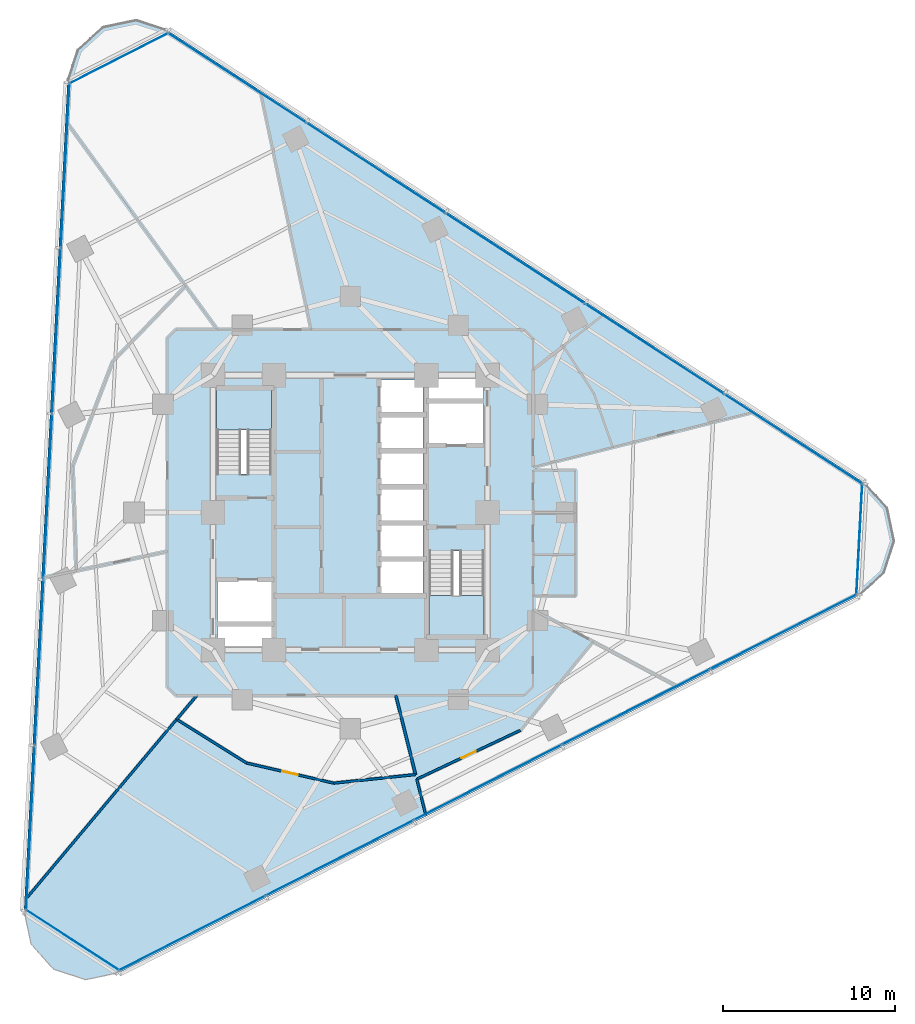
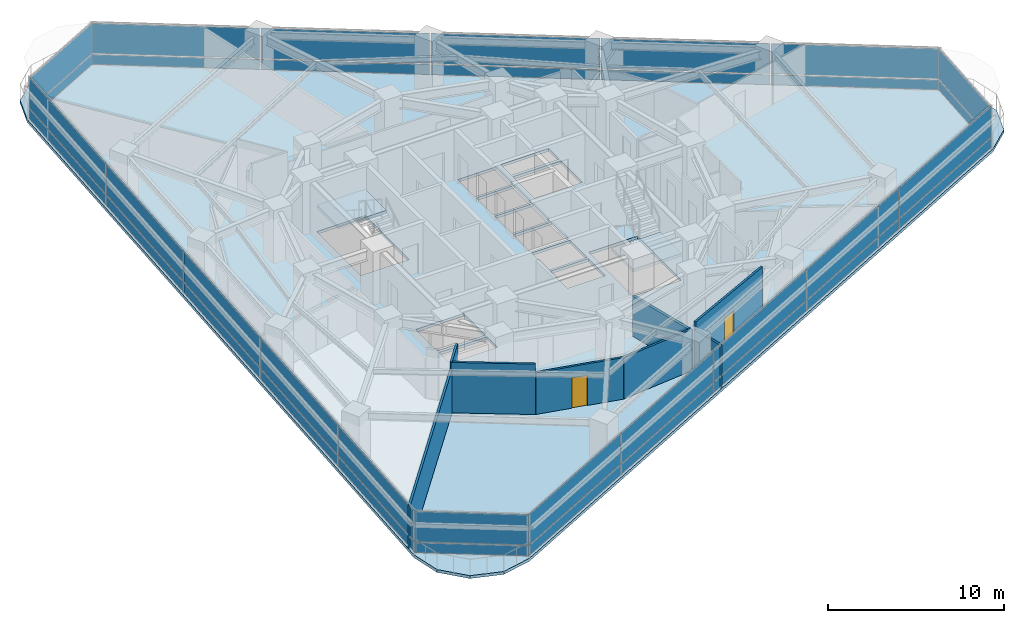
# One storey, part 7 of 14: 36 plates, 8 walls, 3 slabs, 2 doors, 2 openings, 8 elements without a shape of their own.
"""IFC4 building model written with IfcOpenShell, lengths in metres."""

from ifc_helpers import new_model, si_unit, direction, frame, frame_2d, origin, origin_2d, place, context, subcontext, project, spatial, polyline, rectangle, outline, extrude, material, layer, layer_set, type_object, element, fill, aggregate, save


model = new_model("IFC4")

# Units and contexts
model_context = context("Model", 3, precision=1e-05, world=origin(), true_north=direction((0.0, 1.0)))
body_context = subcontext(model_context, "Body", "Model", "MODEL_VIEW")
ifc_project = project(units=[si_unit("LENGTHUNIT", "METRE"), si_unit("AREAUNIT", "SQUARE_METRE"), si_unit("VOLUMEUNIT", "CUBIC_METRE"), si_unit("PLANEANGLEUNIT", "RADIAN"), si_unit("MASSUNIT", "GRAM", prefix="KILO")], contexts=[model_context])

# Site, building, storey
site_placement = place(None, origin())
site = spatial("IfcSite", under=ifc_project, at=site_placement, CompositionType="ELEMENT")
building_placement = place(site_placement, origin())
building = spatial("IfcBuilding", under=site, at=building_placement, Name="Terralouvre Media Tower", CompositionType="ELEMENT")
storey_placement = place(building_placement, frame((0.0, 0.0, 127.300048828125)))
storey = spatial("IfcBuildingStorey", under=building, at=storey_placement, Name="L32", CompositionType="ELEMENT", Elevation=127.300048828125)

# Slab
ifc_material_1 = material(Name="Concrete C40/50", Category="concrete")
ifc_layer_1 = layer(ifc_material_1, 0.199951171875, Name="Composite Tower Floor Slab S-TYP200")
ifc_layer_set_1 = layer_set([ifc_layer_1], Name="Concrete C40/50")
slab_type_1 = type_object("IfcSlabType", Name="Composite Tower Floor Slab S-TYP200", PredefinedType="FLOOR", material=ifc_layer_set_1)
slab_1_placement = place(storey_placement, frame((0.0, 0.0, -0.199951171875), z_axis=(0.0, 0.0, 1.0), x_axis=(0.891006524188, 0.45399049974, 0.0)))
element("IfcSlab", 1, at=slab_1_placement, inside=storey, type_object=slab_type_1, Name="L32 Structural Floor Slab", PredefinedType="FLOOR", context=body_context, shape_type="SweptSolid", body=[
    extrude(outline(polyline([(-27.490966796875, -12.07177734375), (-28.0, -13.971923828125), (-27.490966796875, -15.871826171875), (-26.10009765625, -17.2626953125), (-24.199951171875, -17.77197265625), (24.199951171875, -17.77197265625), (26.10009765625, -17.2626953125), (27.490966796875, -15.871826171875), (28.0, -13.971923828125), (27.490966796875, -12.07177734375), (3.291015625, 29.84375), (1.89990234375, 31.234619140625), (0.0, 31.74365234375), (-1.89990234375, 31.234619140625), (-3.291015625, 29.84375), (-27.490966796875, -12.07177734375)]), holes=[polyline([(-7.094970703125, -3.792236328125), (-7.6396484375, -4.861572265625), (-10.446533203125, -3.431396484375), (-9.901611328125, -2.3623046875), (-7.094970703125, -3.792236328125)]), polyline([(-7.004150390625, -3.614013671875), (-9.810791015625, -2.18408203125), (-8.698486328125, -0.0009765625), (-5.891845703125, -1.43115234375), (-7.004150390625, -3.614013671875)]), polyline([(4.504150390625, -0.521728515625), (2.276611328125, 0.61328125), (3.1572265625, 2.341796875), (5.384765625, 1.206787109375), (4.504150390625, -0.521728515625)]), polyline([(6.338134765625, 3.077880859375), (5.45751953125, 1.349365234375), (3.22998046875, 2.484375), (4.110595703125, 4.212890625), (6.338134765625, 3.077880859375)]), polyline([(-3.079345703125, 4.088623046875), (-5.912841796875, 5.532470703125), (-3.635986328125, 10.000732421875), (-0.802734375, 8.55712890625), (-3.079345703125, 4.088623046875)]), polyline([(6.410888671875, 3.220458984375), (4.183349609375, 4.35546875), (5.06396484375, 6.083984375), (7.29150390625, 4.94921875), (6.410888671875, 3.220458984375)]), polyline([(0.802734375, -8.55712890625), (3.079345703125, -4.088623046875), (5.912841796875, -5.532470703125), (3.635986328125, -10.000732421875), (0.802734375, -8.55712890625)]), polyline([(1.64404296875, -6.135009765625), (-0.58349609375, -5.0), (0.297119140625, -3.271484375), (2.524658203125, -4.406494140625), (1.64404296875, -6.135009765625)]), polyline([(2.597412109375, -4.263916015625), (0.369873046875, -3.12890625), (1.25048828125, -1.400390625), (3.47802734375, -2.535400390625), (2.597412109375, -4.263916015625)]), polyline([(4.431396484375, -0.664306640625), (3.55078125, -2.392822265625), (1.3232421875, -1.2578125), (2.203857421875, 0.470703125), (4.431396484375, -0.664306640625)]), polyline([(8.698486328125, 0.0009765625), (5.891845703125, 1.43115234375), (7.004150390625, 3.614013671875), (9.810791015625, 2.18408203125), (8.698486328125, 0.0009765625)]), polyline([(9.901611328125, 2.3623046875), (7.094970703125, 3.792236328125), (7.6396484375, 4.861572265625), (10.446533203125, 3.431396484375), (9.901611328125, 2.3623046875)])]), origin(), (0.0, 0.0, 1.0), 0.199951171875),
])

# Stair, slab
ifc_material_2 = material(Name="Concrete C45/55", Category="concrete")
stair_type_1 = type_object("IfcStairType", Name="Dogleg Stair Assembly ST-01", PredefinedType="HALF_TURN_STAIR", material=ifc_material_2)
stair_1_placement = place(storey_placement, origin())
stair_1 = element("IfcStair", 2, at=stair_1_placement, inside=storey, type_object=stair_type_1, Name="L32 Core Pressurised Exit Stair ST-01", PredefinedType="HALF_TURN_STAIR")
ifc_material_3 = material(Name="Concrete C45/55", Category="concrete")
ifc_layer_2 = layer(ifc_material_3, 0.199951171875, Name="Reinforced Concrete Stair Half-Landing SL-LD1")
ifc_layer_set_2 = layer_set([ifc_layer_2], Name="Concrete C45/55")
slab_type_2 = type_object("IfcSlabType", Name="Reinforced Concrete Stair Half-Landing SL-LD1", PredefinedType="LANDING", material=ifc_layer_set_2)
slab_2_placement = place(storey_placement, frame((0.0, 0.0, 1.64990234375)))
slab_2 = element("IfcSlab", 3, at=slab_2_placement, type_object=slab_type_2, Name="ST-01 landing 1", PredefinedType="LANDING", context=body_context, shape_type="SweptSolid", body=[
    extrude(outline(polyline([(-4.60009765625, 4.820068359375), (-4.60009765625, 7.260009765625), (-7.780029296875, 7.260009765625), (-7.780029296875, 4.820068359375), (-4.60009765625, 4.820068359375)])), origin(), (0.0, 0.0, 1.0), 0.199951171875),
])
aggregate(stair_1, [slab_2])

ifc_material_4 = material(Name="Concrete C45/55", Category="concrete")
stair_type_2 = type_object("IfcStairType", Name="Dogleg Stair Assembly ST-02", PredefinedType="HALF_TURN_STAIR", material=ifc_material_4)
stair_2_placement = place(storey_placement, origin())
stair_2 = element("IfcStair", 4, at=stair_2_placement, inside=storey, type_object=stair_type_2, Name="L32 Core Pressurised Exit Stair ST-02", PredefinedType="HALF_TURN_STAIR")
slab_3_placement = place(storey_placement, frame((0.0, 0.0, 1.64990234375)))
slab_3 = element("IfcSlab", 5, at=slab_3_placement, type_object=slab_type_2, Name="ST-02 landing 1", PredefinedType="LANDING", context=body_context, shape_type="SweptSolid", body=[
    extrude(outline(polyline([(4.60009765625, -4.820068359375), (4.60009765625, -7.260009765625), (7.780029296875, -7.260009765625), (7.780029296875, -4.820068359375), (4.60009765625, -4.820068359375)])), origin(), (0.0, 0.0, 1.0), 0.199951171875),
])
aggregate(stair_2, [slab_3])

# Curtain wall, plates
ifc_material_5 = material(Name="Low-iron laminated double glazing with solar-control coating", Category="glass")
ifc_layer_3 = layer(ifc_material_5, 0.1650390625, Name="Rounded Wind-Corner Curved Glazing CW-04")
ifc_layer_set_3 = layer_set([ifc_layer_3], Name="Low-iron laminated double glazing with solar-control coating")
curtain_wall_type_1 = type_object("IfcCurtainWallType", Name="Rounded Wind-Corner Curved Glazing CW-04", PredefinedType="NOTDEFINED", material=ifc_layer_set_3)
curtain_wall_1_placement = place(storey_placement, origin())
curtain_wall_1 = element("IfcCurtainWall", 6, at=curtain_wall_1_placement, inside=storey, type_object=curtain_wall_type_1, Name="L32 Rounded Wind-Corner Curtain Wall C0", PredefinedType="NOTDEFINED")
ifc_material_6 = material(Name="Low-iron laminated double glazing with solar-control coating", Category="glass")
ifc_layer_4 = layer(ifc_material_6, 0.0400390625, Name="Rounded Corner Laminated Vision Panel CWP-03")
ifc_layer_set_4 = layer_set([ifc_layer_4], Name="Low-iron laminated double glazing with solar-control coating")
plate_type_1 = type_object("IfcPlateType", Name="Rounded Corner Laminated Vision Panel CWP-03", PredefinedType="CURTAIN_PANEL", material=ifc_layer_set_4)
plate_1_placement = place(storey_placement, frame((-16.177734375, -24.91162109375, 0.074951171875), z_axis=(0.0, 0.0, 1.0), x_axis=(0.838670390568, -0.544639308152, 0.0)))
plate_1 = element("IfcPlate", 7, at=plate_1_placement, type_object=plate_type_1, Name="CW-04 panel 1.1", PredefinedType="CURTAIN_PANEL", context=body_context, shape_type="SweptSolid", body=[
    extrude(rectangle(XDim=6.431884765625, YDim=0.035888671875, at=origin_2d()), origin(), (0.0, 0.0, 1.0), 0.6875),
])
plate_2_placement = place(storey_placement, frame((-16.177734375, -24.91162109375, 0.83740234375), z_axis=(0.0, 0.0, 1.0), x_axis=(0.838670390568, -0.544639308152, 0.0)))
plate_2 = element("IfcPlate", 8, at=plate_2_placement, type_object=plate_type_1, Name="CW-04 panel 1.2", PredefinedType="CURTAIN_PANEL", context=body_context, shape_type="SweptSolid", body=[
    extrude(rectangle(XDim=6.431884765625, YDim=0.035888671875, at=origin_2d()), origin(), (0.0, 0.0, 1.0), 2.08740234375),
])
aggregate(curtain_wall_1, [plate_1, plate_2])

curtain_wall_2_placement = place(storey_placement, origin())
curtain_wall_2 = element("IfcCurtainWall", 9, at=curtain_wall_2_placement, inside=storey, type_object=curtain_wall_type_1, Name="L32 Rounded Wind-Corner Curtain Wall C1", PredefinedType="NOTDEFINED")
plate_3_placement = place(storey_placement, frame((29.6630859375, -1.5546875, 0.074951171875), z_axis=(0.0, 0.0, 1.0), x_axis=(0.052336823006, 0.998629489329, 0.0)))
plate_3 = element("IfcPlate", 10, at=plate_3_placement, type_object=plate_type_1, Name="CW-04 panel 1.1", PredefinedType="CURTAIN_PANEL", context=body_context, shape_type="SweptSolid", body=[
    extrude(rectangle(XDim=6.431884765625, YDim=0.035888671875, at=origin_2d()), origin(), (0.0, 0.0, 1.0), 0.6875),
])
plate_4_placement = place(storey_placement, frame((29.6630859375, -1.5546875, 0.83740234375), z_axis=(0.0, 0.0, 1.0), x_axis=(0.052336823006, 0.998629489329, 0.0)))
plate_4 = element("IfcPlate", 11, at=plate_4_placement, type_object=plate_type_1, Name="CW-04 panel 1.2", PredefinedType="CURTAIN_PANEL", context=body_context, shape_type="SweptSolid", body=[
    extrude(rectangle(XDim=6.431884765625, YDim=0.035888671875, at=origin_2d()), origin(), (0.0, 0.0, 1.0), 2.08740234375),
])
aggregate(curtain_wall_2, [plate_3, plate_4])

curtain_wall_3_placement = place(storey_placement, origin())
curtain_wall_3 = element("IfcCurtainWall", 12, at=curtain_wall_3_placement, inside=storey, type_object=curtain_wall_type_1, Name="L32 Rounded Wind-Corner Curtain Wall C2", PredefinedType="NOTDEFINED")
plate_5_placement = place(storey_placement, frame((-13.485107421875, 26.46630859375, 0.074951171875), z_axis=(0.0, 0.0, 1.0), x_axis=(-0.891006600184, -0.45399035059, 0.0)))
plate_5 = element("IfcPlate", 13, at=plate_5_placement, type_object=plate_type_1, Name="CW-04 panel 1.1", PredefinedType="CURTAIN_PANEL", context=body_context, shape_type="SweptSolid", body=[
    extrude(rectangle(XDim=6.431884765625, YDim=0.035888671875, at=origin_2d()), origin(), (0.0, 0.0, 1.0), 0.6875),
])
plate_6_placement = place(storey_placement, frame((-13.485107421875, 26.46630859375, 0.83740234375), z_axis=(0.0, 0.0, 1.0), x_axis=(-0.891006600184, -0.45399035059, 0.0)))
plate_6 = element("IfcPlate", 14, at=plate_6_placement, type_object=plate_type_1, Name="CW-04 panel 1.2", PredefinedType="CURTAIN_PANEL", context=body_context, shape_type="SweptSolid", body=[
    extrude(rectangle(XDim=6.431884765625, YDim=0.035888671875, at=origin_2d()), origin(), (0.0, 0.0, 1.0), 2.08740234375),
])
aggregate(curtain_wall_3, [plate_5, plate_6])

ifc_material_7 = material(Name="Low-iron laminated double glazing with solar-control coating", Category="glass")
ifc_layer_5 = layer(ifc_material_7, 0.1650390625, Name="Production Studio Tower Curtain Wall CW-03")
ifc_layer_set_5 = layer_set([ifc_layer_5], Name="Low-iron laminated double glazing with solar-control coating")
curtain_wall_type_2 = type_object("IfcCurtainWallType", Name="Production Studio Tower Curtain Wall CW-03", PredefinedType="NOTDEFINED", material=ifc_layer_set_5)
curtain_wall_4_placement = place(storey_placement, origin())
curtain_wall_4 = element("IfcCurtainWall", 15, at=curtain_wall_4_placement, inside=storey, type_object=curtain_wall_type_2, Name="L32 Facade Curtain Wall F0", PredefinedType="NOTDEFINED")
ifc_material_8 = material(Name="Low-iron laminated double glazing with solar-control coating", Category="glass")
ifc_layer_6 = layer(ifc_material_8, 0.035888671875, Name="Vision Double-Glazed Unit CWP-01")
ifc_layer_set_6 = layer_set([ifc_layer_6], Name="Low-iron laminated double glazing with solar-control coating")
plate_type_2 = type_object("IfcPlateType", Name="Vision Double-Glazed Unit CWP-01", PredefinedType="CURTAIN_PANEL", material=ifc_layer_set_6)
plate_7_placement = place(storey_placement, frame((-9.219482421875, -24.5087890625, 0.074951171875), z_axis=(0.0, 0.0, 1.0), x_axis=(0.891006501178, 0.4539905449, 0.0)))
plate_7 = element("IfcPlate", 16, at=plate_7_placement, type_object=plate_type_2, Name="CW-03 panel 1.1", PredefinedType="CURTAIN_PANEL", context=body_context, shape_type="SweptSolid", body=[
    extrude(rectangle(XDim=9.5673828125, YDim=0.035888671875, at=origin_2d()), origin(), (0.0, 0.0, 1.0), 0.6875),
])
plate_8_placement = place(storey_placement, frame((-9.219482421875, -24.5087890625, 0.83740234375), z_axis=(0.0, 0.0, 1.0), x_axis=(0.891006501178, 0.4539905449, 0.0)))
plate_8 = element("IfcPlate", 17, at=plate_8_placement, type_object=plate_type_2, Name="CW-03 panel 1.2", PredefinedType="CURTAIN_PANEL", context=body_context, shape_type="SweptSolid", body=[
    extrude(rectangle(XDim=9.5673828125, YDim=0.035888671875, at=origin_2d()), origin(), (0.0, 0.0, 1.0), 2.08740234375),
])
plate_9_placement = place(storey_placement, frame((-0.611083984375, -20.12255859375, 0.074951171875), z_axis=(0.0, 0.0, 1.0), x_axis=(0.891006501178, 0.4539905449, 0.0)))
plate_9 = element("IfcPlate", 18, at=plate_9_placement, type_object=plate_type_2, Name="CW-03 panel 2.1", PredefinedType="CURTAIN_PANEL", context=body_context, shape_type="SweptSolid", body=[
    extrude(rectangle(XDim=9.60498046875, YDim=0.035888671875, at=origin_2d()), origin(), (0.0, 0.0, 1.0), 0.6875),
])
plate_10_placement = place(storey_placement, frame((-0.611083984375, -20.12255859375, 0.83740234375), z_axis=(0.0, 0.0, 1.0), x_axis=(0.891006501178, 0.4539905449, 0.0)))
plate_10 = element("IfcPlate", 19, at=plate_10_placement, type_object=plate_type_2, Name="CW-03 panel 2.2", PredefinedType="CURTAIN_PANEL", context=body_context, shape_type="SweptSolid", body=[
    extrude(rectangle(XDim=9.60498046875, YDim=0.035888671875, at=origin_2d()), origin(), (0.0, 0.0, 1.0), 2.08740234375),
])
plate_11_placement = place(storey_placement, frame((8.013671875, -15.72802734375, 0.074951171875), z_axis=(0.0, 0.0, 1.0), x_axis=(0.891006501178, 0.4539905449, 0.0)))
plate_11 = element("IfcPlate", 20, at=plate_11_placement, type_object=plate_type_2, Name="CW-03 panel 3.1", PredefinedType="CURTAIN_PANEL", context=body_context, shape_type="SweptSolid", body=[
    extrude(rectangle(XDim=9.60498046875, YDim=0.035888671875, at=origin_2d()), origin(), (0.0, 0.0, 1.0), 0.6875),
])
plate_12_placement = place(storey_placement, frame((8.013671875, -15.72802734375, 0.83740234375), z_axis=(0.0, 0.0, 1.0), x_axis=(0.891006501178, 0.4539905449, 0.0)))
plate_12 = element("IfcPlate", 21, at=plate_12_placement, type_object=plate_type_2, Name="CW-03 panel 3.2", PredefinedType="CURTAIN_PANEL", context=body_context, shape_type="SweptSolid", body=[
    extrude(rectangle(XDim=9.60498046875, YDim=0.035888671875, at=origin_2d()), origin(), (0.0, 0.0, 1.0), 2.08740234375),
])
plate_13_placement = place(storey_placement, frame((16.638671875, -11.333251953125, 0.074951171875), z_axis=(0.0, 0.0, 1.0), x_axis=(0.891006501178, 0.4539905449, 0.0)))
plate_13 = element("IfcPlate", 22, at=plate_13_placement, type_object=plate_type_2, Name="CW-03 panel 4.1", PredefinedType="CURTAIN_PANEL", context=body_context, shape_type="SweptSolid", body=[
    extrude(rectangle(XDim=9.60498046875, YDim=0.035888671875, at=origin_2d()), origin(), (0.0, 0.0, 1.0), 0.6875),
])
plate_14_placement = place(storey_placement, frame((16.638671875, -11.333251953125, 0.83740234375), z_axis=(0.0, 0.0, 1.0), x_axis=(0.891006501178, 0.4539905449, 0.0)))
plate_14 = element("IfcPlate", 23, at=plate_14_placement, type_object=plate_type_2, Name="CW-03 panel 4.2", PredefinedType="CURTAIN_PANEL", context=body_context, shape_type="SweptSolid", body=[
    extrude(rectangle(XDim=9.60498046875, YDim=0.035888671875, at=origin_2d()), origin(), (0.0, 0.0, 1.0), 2.08740234375),
])
plate_15_placement = place(storey_placement, frame((25.2470703125, -6.947265625, 0.074951171875), z_axis=(0.0, 0.0, 1.0), x_axis=(0.891006501178, 0.4539905449, 0.0)))
plate_15 = element("IfcPlate", 24, at=plate_15_placement, type_object=plate_type_2, Name="CW-03 panel 5.1", PredefinedType="CURTAIN_PANEL", context=body_context, shape_type="SweptSolid", body=[
    extrude(rectangle(XDim=9.5673828125, YDim=0.035888671875, at=origin_2d()), origin(), (0.0, 0.0, 1.0), 0.6875),
])
plate_16_placement = place(storey_placement, frame((25.2470703125, -6.947265625, 0.83740234375), z_axis=(0.0, 0.0, 1.0), x_axis=(0.891006501178, 0.4539905449, 0.0)))
plate_16 = element("IfcPlate", 25, at=plate_16_placement, type_object=plate_type_2, Name="CW-03 panel 5.2", PredefinedType="CURTAIN_PANEL", context=body_context, shape_type="SweptSolid", body=[
    extrude(rectangle(XDim=9.5673828125, YDim=0.035888671875, at=origin_2d()), origin(), (0.0, 0.0, 1.0), 2.08740234375),
])
aggregate(curtain_wall_4, [plate_7, plate_8, plate_9, plate_10, plate_11, plate_12, plate_13, plate_14, plate_15, plate_16])

curtain_wall_5_placement = place(storey_placement, origin())
curtain_wall_5 = element("IfcCurtainWall", 26, at=curtain_wall_5_placement, inside=storey, type_object=curtain_wall_type_2, Name="L32 Facade Curtain Wall F1", PredefinedType="NOTDEFINED")
plate_17_placement = place(storey_placement, frame((25.8349609375, 4.27001953125, 0.074951171875), z_axis=(0.0, 0.0, 1.0), x_axis=(-0.838670588944, 0.544639002681, 0.0)))
plate_17 = element("IfcPlate", 27, at=plate_17_placement, type_object=plate_type_2, Name="CW-03 panel 1.1", PredefinedType="CURTAIN_PANEL", context=body_context, shape_type="SweptSolid", body=[
    extrude(rectangle(XDim=9.5673828125, YDim=0.035888671875, at=origin_2d()), origin(), (0.0, 0.0, 1.0), 0.6875),
])
plate_18_placement = place(storey_placement, frame((25.8349609375, 4.27001953125, 0.83740234375), z_axis=(0.0, 0.0, 1.0), x_axis=(-0.838670588944, 0.544639002681, 0.0)))
plate_18 = element("IfcPlate", 28, at=plate_18_placement, type_object=plate_type_2, Name="CW-03 panel 1.2", PredefinedType="CURTAIN_PANEL", context=body_context, shape_type="SweptSolid", body=[
    extrude(rectangle(XDim=9.5673828125, YDim=0.035888671875, at=origin_2d()), origin(), (0.0, 0.0, 1.0), 2.08740234375),
])
plate_19_placement = place(storey_placement, frame((17.732177734375, 9.531982421875, 0.074951171875), z_axis=(0.0, 0.0, 1.0), x_axis=(-0.838670588944, 0.544639002681, 0.0)))
plate_19 = element("IfcPlate", 29, at=plate_19_placement, type_object=plate_type_2, Name="CW-03 panel 2.1", PredefinedType="CURTAIN_PANEL", context=body_context, shape_type="SweptSolid", body=[
    extrude(rectangle(XDim=9.60498046875, YDim=0.035888671875, at=origin_2d()), origin(), (0.0, 0.0, 1.0), 0.6875),
])
plate_20_placement = place(storey_placement, frame((17.732177734375, 9.531982421875, 0.83740234375), z_axis=(0.0, 0.0, 1.0), x_axis=(-0.838670588944, 0.544639002681, 0.0)))
plate_20 = element("IfcPlate", 30, at=plate_20_placement, type_object=plate_type_2, Name="CW-03 panel 2.2", PredefinedType="CURTAIN_PANEL", context=body_context, shape_type="SweptSolid", body=[
    extrude(rectangle(XDim=9.60498046875, YDim=0.035888671875, at=origin_2d()), origin(), (0.0, 0.0, 1.0), 2.08740234375),
])
plate_21_placement = place(storey_placement, frame((9.614013671875, 14.80419921875, 0.074951171875), z_axis=(0.0, 0.0, 1.0), x_axis=(-0.838670588944, 0.544639002681, 0.0)))
plate_21 = element("IfcPlate", 31, at=plate_21_placement, type_object=plate_type_2, Name="CW-03 panel 3.1", PredefinedType="CURTAIN_PANEL", context=body_context, shape_type="SweptSolid", body=[
    extrude(rectangle(XDim=9.60498046875, YDim=0.035888671875, at=origin_2d()), origin(), (0.0, 0.0, 1.0), 0.6875),
])
plate_22_placement = place(storey_placement, frame((9.614013671875, 14.80419921875, 0.83740234375), z_axis=(0.0, 0.0, 1.0), x_axis=(-0.838670588944, 0.544639002681, 0.0)))
plate_22 = element("IfcPlate", 32, at=plate_22_placement, type_object=plate_type_2, Name="CW-03 panel 3.2", PredefinedType="CURTAIN_PANEL", context=body_context, shape_type="SweptSolid", body=[
    extrude(rectangle(XDim=9.60498046875, YDim=0.035888671875, at=origin_2d()), origin(), (0.0, 0.0, 1.0), 2.08740234375),
])
plate_23_placement = place(storey_placement, frame((1.49560546875, 20.076171875, 0.074951171875), z_axis=(0.0, 0.0, 1.0), x_axis=(-0.838670588944, 0.544639002681, 0.0)))
plate_23 = element("IfcPlate", 33, at=plate_23_placement, type_object=plate_type_2, Name="CW-03 panel 4.1", PredefinedType="CURTAIN_PANEL", context=body_context, shape_type="SweptSolid", body=[
    extrude(rectangle(XDim=9.60498046875, YDim=0.035888671875, at=origin_2d()), origin(), (0.0, 0.0, 1.0), 0.6875),
])
plate_24_placement = place(storey_placement, frame((1.49560546875, 20.076171875, 0.83740234375), z_axis=(0.0, 0.0, 1.0), x_axis=(-0.838670588944, 0.544639002681, 0.0)))
plate_24 = element("IfcPlate", 34, at=plate_24_placement, type_object=plate_type_2, Name="CW-03 panel 4.2", PredefinedType="CURTAIN_PANEL", context=body_context, shape_type="SweptSolid", body=[
    extrude(rectangle(XDim=9.60498046875, YDim=0.035888671875, at=origin_2d()), origin(), (0.0, 0.0, 1.0), 2.08740234375),
])
plate_25_placement = place(storey_placement, frame((-6.60693359375, 25.338134765625, 0.074951171875), z_axis=(0.0, 0.0, 1.0), x_axis=(-0.838670588944, 0.544639002681, 0.0)))
plate_25 = element("IfcPlate", 35, at=plate_25_placement, type_object=plate_type_2, Name="CW-03 panel 5.1", PredefinedType="CURTAIN_PANEL", context=body_context, shape_type="SweptSolid", body=[
    extrude(rectangle(XDim=9.5673828125, YDim=0.035888671875, at=origin_2d()), origin(), (0.0, 0.0, 1.0), 0.6875),
])
plate_26_placement = place(storey_placement, frame((-6.60693359375, 25.338134765625, 0.83740234375), z_axis=(0.0, 0.0, 1.0), x_axis=(-0.838670588944, 0.544639002681, 0.0)))
plate_26 = element("IfcPlate", 36, at=plate_26_placement, type_object=plate_type_2, Name="CW-03 panel 5.2", PredefinedType="CURTAIN_PANEL", context=body_context, shape_type="SweptSolid", body=[
    extrude(rectangle(XDim=9.5673828125, YDim=0.035888671875, at=origin_2d()), origin(), (0.0, 0.0, 1.0), 2.08740234375),
])
aggregate(curtain_wall_5, [plate_17, plate_18, plate_19, plate_20, plate_21, plate_22, plate_23, plate_24, plate_25, plate_26])

curtain_wall_6_placement = place(storey_placement, origin())
curtain_wall_6 = element("IfcCurtainWall", 37, at=curtain_wall_6_placement, inside=storey, type_object=curtain_wall_type_2, Name="L32 Facade Curtain Wall F2", PredefinedType="NOTDEFINED")
plate_27_placement = place(storey_placement, frame((-16.615478515625, 20.238525390625, 0.074951171875), z_axis=(0.0, 0.0, 1.0), x_axis=(-0.052335949864, -0.998629535089, 0.0)))
plate_27 = element("IfcPlate", 38, at=plate_27_placement, type_object=plate_type_2, Name="CW-03 panel 1.1", PredefinedType="CURTAIN_PANEL", context=body_context, shape_type="SweptSolid", body=[
    extrude(rectangle(XDim=9.5673828125, YDim=0.035888671875, at=origin_2d()), origin(), (0.0, 0.0, 1.0), 0.6875),
])
plate_28_placement = place(storey_placement, frame((-16.615478515625, 20.238525390625, 0.83740234375), z_axis=(0.0, 0.0, 1.0), x_axis=(-0.052335949864, -0.998629535089, 0.0)))
plate_28 = element("IfcPlate", 39, at=plate_28_placement, type_object=plate_type_2, Name="CW-03 panel 1.2", PredefinedType="CURTAIN_PANEL", context=body_context, shape_type="SweptSolid", body=[
    extrude(rectangle(XDim=9.5673828125, YDim=0.035888671875, at=origin_2d()), origin(), (0.0, 0.0, 1.0), 2.08740234375),
])
plate_29_placement = place(storey_placement, frame((-17.12109375, 10.590576171875, 0.074951171875), z_axis=(0.0, 0.0, 1.0), x_axis=(-0.052335949864, -0.998629535089, 0.0)))
plate_29 = element("IfcPlate", 40, at=plate_29_placement, type_object=plate_type_2, Name="CW-03 panel 2.1", PredefinedType="CURTAIN_PANEL", context=body_context, shape_type="SweptSolid", body=[
    extrude(rectangle(XDim=9.60498046875, YDim=0.035888671875, at=origin_2d()), origin(), (0.0, 0.0, 1.0), 0.6875),
])
plate_30_placement = place(storey_placement, frame((-17.12109375, 10.590576171875, 0.83740234375), z_axis=(0.0, 0.0, 1.0), x_axis=(-0.052335949864, -0.998629535089, 0.0)))
plate_30 = element("IfcPlate", 41, at=plate_30_placement, type_object=plate_type_2, Name="CW-03 panel 2.2", PredefinedType="CURTAIN_PANEL", context=body_context, shape_type="SweptSolid", body=[
    extrude(rectangle(XDim=9.60498046875, YDim=0.035888671875, at=origin_2d()), origin(), (0.0, 0.0, 1.0), 2.08740234375),
])
plate_31_placement = place(storey_placement, frame((-17.627685546875, 0.923828125, 0.074951171875), z_axis=(0.0, 0.0, 1.0), x_axis=(-0.052335949864, -0.998629535089, 0.0)))
plate_31 = element("IfcPlate", 42, at=plate_31_placement, type_object=plate_type_2, Name="CW-03 panel 3.1", PredefinedType="CURTAIN_PANEL", context=body_context, shape_type="SweptSolid", body=[
    extrude(rectangle(XDim=9.60498046875, YDim=0.035888671875, at=origin_2d()), origin(), (0.0, 0.0, 1.0), 0.6875),
])
plate_32_placement = place(storey_placement, frame((-17.627685546875, 0.923828125, 0.83740234375), z_axis=(0.0, 0.0, 1.0), x_axis=(-0.052335949864, -0.998629535089, 0.0)))
plate_32 = element("IfcPlate", 43, at=plate_32_placement, type_object=plate_type_2, Name="CW-03 panel 3.2", PredefinedType="CURTAIN_PANEL", context=body_context, shape_type="SweptSolid", body=[
    extrude(rectangle(XDim=9.60498046875, YDim=0.035888671875, at=origin_2d()), origin(), (0.0, 0.0, 1.0), 2.08740234375),
])
plate_33_placement = place(storey_placement, frame((-18.13427734375, -8.742919921875, 0.074951171875), z_axis=(0.0, 0.0, 1.0), x_axis=(-0.052335949864, -0.998629535089, 0.0)))
plate_33 = element("IfcPlate", 44, at=plate_33_placement, type_object=plate_type_2, Name="CW-03 panel 4.1", PredefinedType="CURTAIN_PANEL", context=body_context, shape_type="SweptSolid", body=[
    extrude(rectangle(XDim=9.60498046875, YDim=0.035888671875, at=origin_2d()), origin(), (0.0, 0.0, 1.0), 0.6875),
])
plate_34_placement = place(storey_placement, frame((-18.13427734375, -8.742919921875, 0.83740234375), z_axis=(0.0, 0.0, 1.0), x_axis=(-0.052335949864, -0.998629535089, 0.0)))
plate_34 = element("IfcPlate", 45, at=plate_34_placement, type_object=plate_type_2, Name="CW-03 panel 4.2", PredefinedType="CURTAIN_PANEL", context=body_context, shape_type="SweptSolid", body=[
    extrude(rectangle(XDim=9.60498046875, YDim=0.035888671875, at=origin_2d()), origin(), (0.0, 0.0, 1.0), 2.08740234375),
])
plate_35_placement = place(storey_placement, frame((-18.639892578125, -18.390869140625, 0.074951171875), z_axis=(0.0, 0.0, 1.0), x_axis=(-0.052335949864, -0.998629535089, 0.0)))
plate_35 = element("IfcPlate", 46, at=plate_35_placement, type_object=plate_type_2, Name="CW-03 panel 5.1", PredefinedType="CURTAIN_PANEL", context=body_context, shape_type="SweptSolid", body=[
    extrude(rectangle(XDim=9.5673828125, YDim=0.035888671875, at=origin_2d()), origin(), (0.0, 0.0, 1.0), 0.6875),
])
plate_36_placement = place(storey_placement, frame((-18.639892578125, -18.390869140625, 0.83740234375), z_axis=(0.0, 0.0, 1.0), x_axis=(-0.052335949864, -0.998629535089, 0.0)))
plate_36 = element("IfcPlate", 47, at=plate_36_placement, type_object=plate_type_2, Name="CW-03 panel 5.2", PredefinedType="CURTAIN_PANEL", context=body_context, shape_type="SweptSolid", body=[
    extrude(rectangle(XDim=9.5673828125, YDim=0.035888671875, at=origin_2d()), origin(), (0.0, 0.0, 1.0), 2.08740234375),
])
aggregate(curtain_wall_6, [plate_27, plate_28, plate_29, plate_30, plate_31, plate_32, plate_33, plate_34, plate_35, plate_36])

# Walls
ifc_material_9 = material(Name="Fire-rated gypsum board drywall partition")
ifc_layer_7 = layer(ifc_material_9, 0.135009765625, Name="Newsroom Acoustic Partition PT-135")
ifc_layer_set_7 = layer_set([ifc_layer_7], Name="Fire-rated gypsum board drywall partition")
wall_type_1 = type_object("IfcWallType", Name="Newsroom Acoustic Partition PT-135", PredefinedType="PARTITIONING", material=ifc_layer_set_7)
wall_1_placement = place(storey_placement, frame((-18.896484375, -22.51953125, 0.0), z_axis=(0.0, 0.0, 1.0), x_axis=(0.642815636807, 0.766020924698, 0.0)))
element("IfcWall", 48, at=wall_1_placement, inside=storey, type_object=wall_type_1, Name="L32 Interior Partition 020", PredefinedType="PARTITIONING", context=body_context, shape_type="SweptSolid", body=[
    extrude(rectangle(XDim=13.660888671875, YDim=0.135009765625, at=frame_2d((6.83056640625, 0.0))), origin(), (0.0, 0.0, 1.0), 2.98486328125),
])
wall_2_placement = place(storey_placement, frame((-10.114990234375, -12.054931640625, 0.0), z_axis=(0.0, 0.0, 1.0), x_axis=(0.64278617419, 0.766045647642, 0.0)))
element("IfcWall", 49, at=wall_2_placement, inside=storey, type_object=wall_type_1, Name="L32 Interior Partition 021", PredefinedType="PARTITIONING", context=body_context, shape_type="SweptSolid", body=[
    extrude(rectangle(XDim=1.834228515625, YDim=0.135009765625, at=frame_2d((0.9169921875, 0.0))), origin(), (0.0, 0.0, 1.0), 3.5),
])
wall_3_placement = place(storey_placement, frame((3.806884765625, -15.26904296875, 0.0), z_axis=(0.0, 0.0, 1.0), x_axis=(-0.994513256503, -0.104610623932, 0.0)))
element("IfcWall", 50, at=wall_3_placement, inside=storey, type_object=wall_type_1, Name="L32 Interior Partition 024", PredefinedType="PARTITIONING", context=body_context, shape_type="SweptSolid", body=[
    extrude(rectangle(XDim=4.79833984375, YDim=0.135009765625, at=frame_2d((2.399169921875, 0.0))), origin(), (0.0, 0.0, 1.0), 2.875),
])

# Wall, opening, door
wall_4_placement = place(storey_placement, frame((-0.965087890625, -15.77099609375, 0.0), z_axis=(0.0, 0.0, 1.0), x_axis=(-0.974324872008, 0.225146716135, 0.0)))
wall_4 = element("IfcWall", 51, at=wall_4_placement, inside=storey, type_object=wall_type_1, Name="L32 Interior Partition 025", PredefinedType="PARTITIONING", context=body_context, shape_type="SweptSolid", body=[
    extrude(rectangle(XDim=5.214599609375, YDim=0.135009765625, at=frame_2d((2.607421875, 0.0))), origin(), (0.0, 0.0, 1.0), 2.885009765625),
])
opening_1_placement = place(wall_4_placement, frame((2.1474609375, 0.0, 0.0)))
opening_1 = element("IfcOpeningElement", 52, at=opening_1_placement, cuts=wall_4, Name="Opening ID-03-92X210", PredefinedType="OPENING", context=body_context, shape_type="SweptSolid", body=[
    extrude(rectangle(XDim=0.919921875, YDim=2.10009765625, at=frame_2d((0.4599609375, 1.050048828125))), frame((0.0, 0.077392578125, 0.0), z_axis=(0.0, -1.0, 0.0), x_axis=(1.0, 0.0, 0.0)), (0.0, 0.0, 1.0), 0.155029296875),
])
ifc_material_10 = material(Name="Engineered hardwood acoustic timber leaf", Category="wood")
door_type = type_object("IfcDoorType", Name="Accessible Restroom and Suite Door ID-03 (920x2100)", OperationType="NOTDEFINED", PredefinedType="DOOR", material=ifc_material_10)
door_1_placement = place(opening_1_placement, origin())
door_1 = element("IfcDoor", 53, at=door_1_placement, inside=storey, type_object=door_type, Name="L32 Trophy and Kit Archive Storage 2 Door", OperationType="SINGLE_SWING_RIGHT", OverallHeight=2.10009765625, OverallWidth=0.919921875, PredefinedType="DOOR", context=body_context, shape_type="SweptSolid", body=[
    extrude(rectangle(XDim=0.919921875, YDim=2.10009765625, at=frame_2d((0.4599609375, 1.050048828125))), frame((0.0, 0.02490234375, 0.0), z_axis=(0.0, -1.0, 0.0), x_axis=(1.0, 0.0, 0.0)), (0.0, 0.0, 1.0), 0.050048828125),
])
fill(opening_1, door_1)

# Walls
wall_5_placement = place(storey_placement, frame((-6.0458984375, -14.596923828125, 0.0), z_axis=(0.0, 0.0, 1.0), x_axis=(-0.848109776096, 0.529820542912, 0.0)))
element("IfcWall", 54, at=wall_5_placement, inside=storey, type_object=wall_type_1, Name="L32 Interior Partition 026", PredefinedType="PARTITIONING", context=body_context, shape_type="SweptSolid", body=[
    extrude(rectangle(XDim=4.7978515625, YDim=0.135009765625, at=frame_2d((2.39892578125, 0.0))), origin(), (0.0, 0.0, 1.0), 3.5),
])
wall_6_placement = place(storey_placement, frame((4.392822265625, -17.617919921875, 0.0), z_axis=(0.0, 0.0, 1.0), x_axis=(-0.242107483306, 0.970249435211, 0.0)))
element("IfcWall", 55, at=wall_6_placement, inside=storey, type_object=wall_type_1, Name="L32 Interior Partition 027", PredefinedType="PARTITIONING", context=body_context, shape_type="SweptSolid", body=[
    extrude(rectangle(XDim=2.14697265625, YDim=0.135009765625, at=frame_2d((1.073486328125, 0.0))), origin(), (0.0, 0.0, 1.0), 2.974853515625),
])

# Wall, opening, door
wall_7_placement = place(storey_placement, frame((3.873046875, -15.534912109375, 0.0), z_axis=(0.0, 0.0, 1.0), x_axis=(0.904472849066, 0.426531200855, 0.0)))
wall_7 = element("IfcWall", 56, at=wall_7_placement, inside=storey, type_object=wall_type_1, Name="L32 Interior Partition 029", PredefinedType="PARTITIONING", context=body_context, shape_type="SweptSolid", body=[
    extrude(rectangle(XDim=6.677001953125, YDim=0.135009765625, at=frame_2d((3.33837890625, 0.0))), origin(), (0.0, 0.0, 1.0), 3.489990234375),
])
opening_2_placement = place(wall_7_placement, frame((2.87841796875, 0.0, 0.0)))
opening_2 = element("IfcOpeningElement", 57, at=opening_2_placement, cuts=wall_7, Name="Opening ID-03-92X210", PredefinedType="OPENING", context=body_context, shape_type="SweptSolid", body=[
    extrude(rectangle(XDim=0.919921875, YDim=2.10009765625, at=frame_2d((0.4599609375, 1.050048828125))), frame((0.0, 0.077392578125, 0.0), z_axis=(0.0, -1.0, 0.0), x_axis=(1.0, 0.0, 0.0)), (0.0, 0.0, 1.0), 0.155029296875),
])
door_2_placement = place(opening_2_placement, origin())
door_2 = element("IfcDoor", 58, at=door_2_placement, inside=storey, type_object=door_type, Name="L32 Tournament Highlights Cinema 5 Door", OperationType="SINGLE_SWING_LEFT", OverallHeight=2.10009765625, OverallWidth=0.919921875, PredefinedType="DOOR", context=body_context, shape_type="SweptSolid", body=[
    extrude(rectangle(XDim=0.919921875, YDim=2.10009765625, at=frame_2d((0.4599609375, 1.050048828125))), frame((0.0, 0.02490234375, 0.0), z_axis=(0.0, -1.0, 0.0), x_axis=(1.0, 0.0, 0.0)), (0.0, 0.0, 1.0), 0.050048828125),
])
fill(opening_2, door_2)

# Wall
ifc_material_11 = material(Name="Fire-rated gypsum board drywall partition")
ifc_layer_8 = layer(ifc_material_11, 0.159912109375, Name="Studio Acoustic Rated Partition PT-160")
ifc_layer_set_8 = layer_set([ifc_layer_8], Name="Fire-rated gypsum board drywall partition")
wall_type_2 = type_object("IfcWallType", Name="Studio Acoustic Rated Partition PT-160", PredefinedType="PARTITIONING", material=ifc_layer_set_8)
wall_8_placement = place(storey_placement, frame((3.806884765625, -15.26904296875, 0.0), z_axis=(0.0, 0.0, 1.0), x_axis=(-0.241956377954, 0.970287128209, 0.0)))
element("IfcWall", 59, at=wall_8_placement, inside=storey, type_object=wall_type_2, Name="L32 Interior Partition 028", PredefinedType="PARTITIONING", context=body_context, shape_type="SweptSolid", body=[
    extrude(rectangle(XDim=4.760498046875, YDim=0.159912109375, at=frame_2d((2.38037109375, 0.0))), origin(), (0.0, 0.0, 1.0), 2.784912109375),
])

save(model, "model.ifc")
